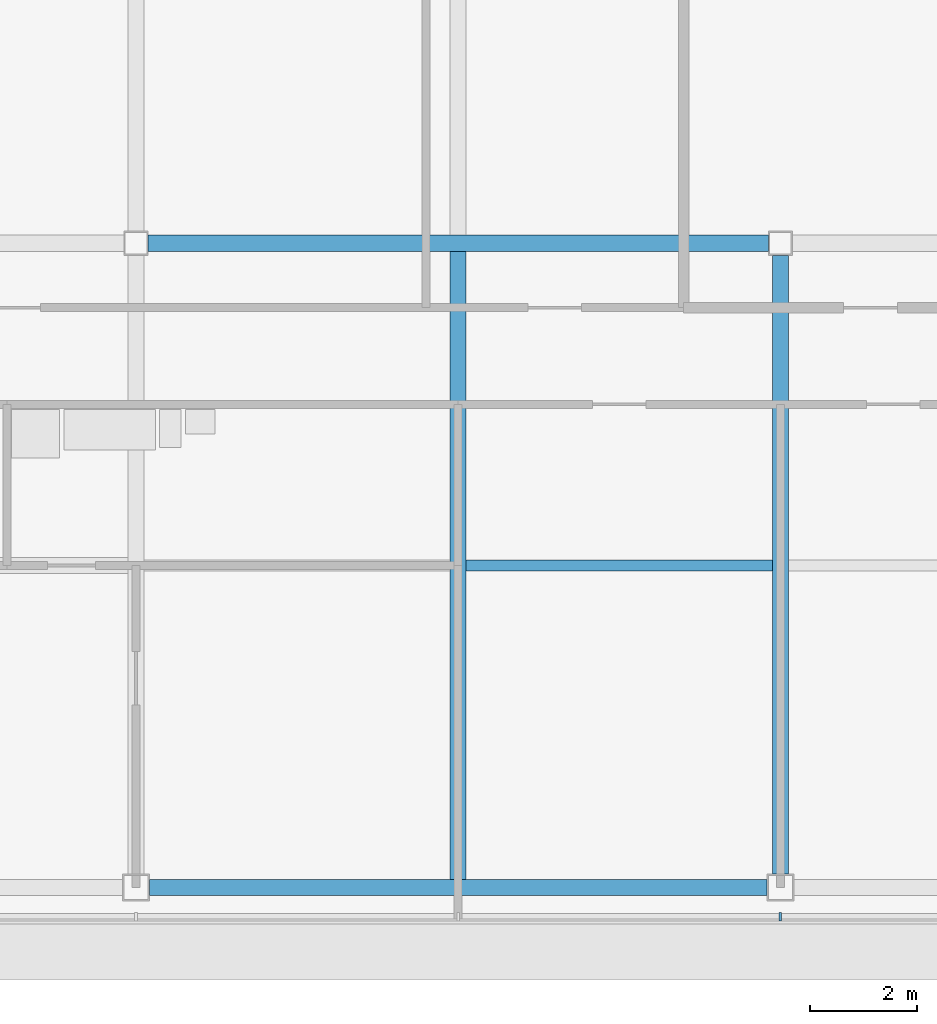
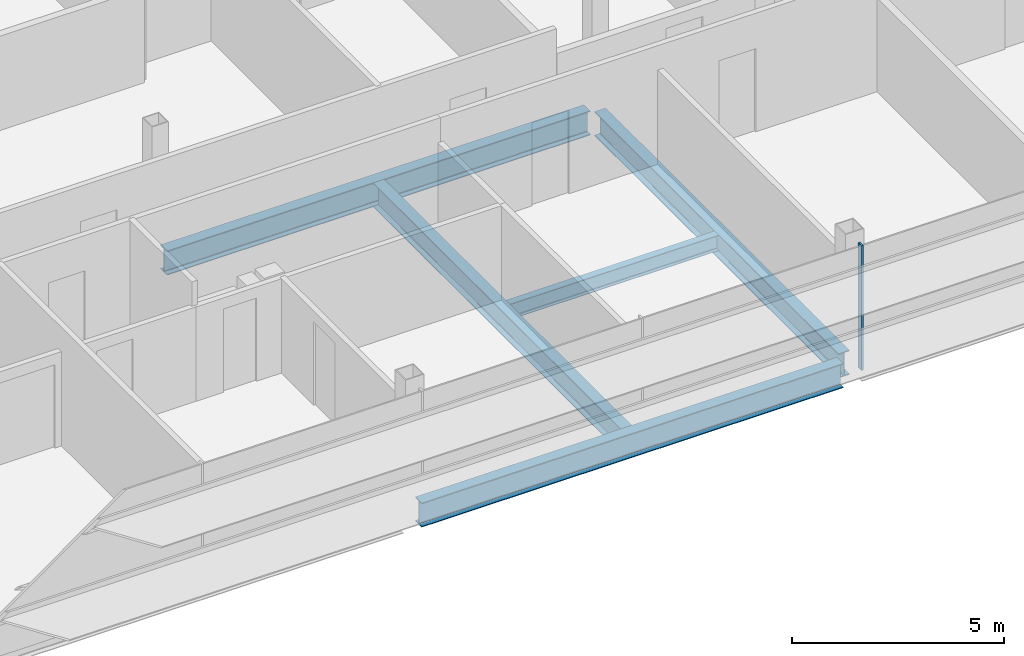
# One storey, part 5 of 27: 5 beams, 1 member, 1 element without a shape of its own.
"""IFC4 building model written with IfcOpenShell, lengths in metres."""

from ifc_helpers import new_model, si_unit, direction, frame, origin, origin_2d, place, context, subcontext, project, spatial, rectangle, i_section, extrude, material, material_profile, profile_set, type_object, element, aggregate, save


model = new_model("IFC4")

# Units and contexts
model_context = context("Model", 3, precision=1e-05, world=origin(), true_north=direction((0.0, 1.0)))
body_context = subcontext(model_context, "Body", "Model", "MODEL_VIEW")
ifc_project = project(units=[si_unit("LENGTHUNIT", "METRE"), si_unit("AREAUNIT", "SQUARE_METRE"), si_unit("VOLUMEUNIT", "CUBIC_METRE"), si_unit("PLANEANGLEUNIT", "RADIAN"), si_unit("MASSUNIT", "GRAM", prefix="KILO")], contexts=[model_context])

# Site, building, storey
site_placement = place(None, origin())
site = spatial("IfcSite", under=ifc_project, at=site_placement, CompositionType="ELEMENT")
building_placement = place(site_placement, origin())
building = spatial("IfcBuilding", under=site, at=building_placement, Name="Sorahane Residences", CompositionType="ELEMENT")
storey_placement = place(building_placement, frame((0.0, 0.0, 312.39990234375)))
storey = spatial("IfcBuildingStorey", under=building, at=storey_placement, Name="L74", CompositionType="ELEMENT", Elevation=312.39990234375)

# Curtain wall, member
ifc_material_1 = material(Name="Dark low-e glass and black anodised aluminium", Category="aluminium")
curtain_wall_type = type_object("IfcCurtainWallType", Name="Curtain wall CW-1 Typical unitised wall", PredefinedType="NOTDEFINED", material=ifc_material_1)
curtain_wall_placement = place(storey_placement, origin())
curtain_wall = element("IfcCurtainWall", 1, at=curtain_wall_placement, inside=storey, type_object=curtain_wall_type, Name="CW-1 curtain wall L74 S1", PredefinedType="NOTDEFINED")
ifc_material_2 = material(Name="Black anodised aluminium", Category="aluminium")
ifc_material_profile_1 = material_profile(ifc_material_2, rectangle(XDim=0.159912109375, YDim=0.050048828125, at=origin_2d()), Name="Curtain wall mullion CW-1 black anodised aluminium 50x160")
ifc_profile_set_1 = profile_set([ifc_material_profile_1], Name="Black anodised aluminium")
member_type = type_object("IfcMemberType", Name="Curtain wall mullion CW-1 black anodised aluminium 50x160", PredefinedType="MULLION", material=ifc_profile_set_1)
member_placement = place(storey_placement, frame((12.0, -0.5400390625, -0.179931640625), z_axis=(0.0, 0.0, 1.0), x_axis=(0.0, -1.0, 0.0)))
member = element("IfcMember", 2, at=member_placement, type_object=member_type, Name="CW-1 mullion L74 S1.5", PredefinedType="MULLION", context=body_context, shape_type="SweptSolid", body=[
    extrude(rectangle(XDim=0.159912109375, YDim=0.050048828125, at=origin_2d()), origin(), (0.0, 0.0, 1.0), 3.60009765625),
])
aggregate(curtain_wall, [member])

# Beams
ifc_material_3 = material(Name="Steel Q355B", Category="steel")
ifc_material_profile_2 = material_profile(ifc_material_3, i_section(OverallWidth=0.199951171875, OverallDepth=0.449951171875, WebThickness=0.009033203125, FlangeThickness=0.013916015625, FilletRadius=0.02001953125, at=origin_2d()), Name="HN 450x200x9x14")
ifc_profile_set_2 = profile_set([ifc_material_profile_2], Name="Steel Q355B")
beam_type_1 = type_object("IfcBeamType", Name="Steel floor beam HN 450x200x9x14 Q355B", PredefinedType="BEAM", material=ifc_profile_set_2)
beam_1_placement = place(storey_placement, frame((6.14990234375, 6.0, -0.40478515625), z_axis=(1.0, 0.0, 0.0), x_axis=(0.0, 1.0, 0.0)))
element("IfcBeam", 3, at=beam_1_placement, inside=storey, type_object=beam_type_1, Name="Beam L74 069", PredefinedType="BEAM", context=body_context, shape_type="SweptSolid", body=[
    extrude(i_section(OverallWidth=0.199951171875, OverallDepth=0.449951171875, WebThickness=0.009033203125, FlangeThickness=0.013916015625, FilletRadius=0.02001953125, at=origin_2d()), origin(), (0.0, 0.0, 1.0), 5.7001953125),
])
ifc_material_4 = material(Name="Steel Q355B", Category="steel")
ifc_material_profile_3 = material_profile(ifc_material_4, i_section(OverallWidth=0.300048828125, OverallDepth=0.699951171875, WebThickness=0.012939453125, FlangeThickness=0.02392578125, FilletRadius=0.028076171875, at=origin_2d()), Name="HN 700x300x13x24")
ifc_profile_set_3 = profile_set([ifc_material_profile_3], Name="Steel Q355B")
beam_type_2 = type_object("IfcBeamType", Name="Steel floor beam HN 700x300x13x24 Q355B", PredefinedType="BEAM", material=ifc_profile_set_3)
beam_2_placement = place(storey_placement, frame((0.25, 0.0, -0.52978515625), z_axis=(1.0, 0.0, 0.0), x_axis=(0.0, 1.0, 0.0)))
element("IfcBeam", 4, at=beam_2_placement, inside=storey, type_object=beam_type_2, Name="Beam L74 001", PredefinedType="BEAM", context=body_context, shape_type="SweptSolid", body=[
    extrude(i_section(OverallWidth=0.300048828125, OverallDepth=0.699951171875, WebThickness=0.012939453125, FlangeThickness=0.02392578125, FilletRadius=0.028076171875, at=origin_2d()), origin(), (0.0, 0.0, 1.0), 11.5),
])
beam_3_placement = place(storey_placement, frame((0.22509765625, 12.0, -0.52978515625), z_axis=(1.0, 0.0, 0.0), x_axis=(0.0, 1.0, 0.0)))
element("IfcBeam", 5, at=beam_3_placement, inside=storey, type_object=beam_type_2, Name="Beam L74 007", PredefinedType="BEAM", context=body_context, shape_type="SweptSolid", body=[
    extrude(i_section(OverallWidth=0.300048828125, OverallDepth=0.699951171875, WebThickness=0.012939453125, FlangeThickness=0.02392578125, FilletRadius=0.028076171875, at=origin_2d()), origin(), (0.0, 0.0, 1.0), 11.5498046875),
])
beam_4_placement = place(storey_placement, frame((6.0, 0.14990234375, -0.52978515625), z_axis=(0.0, 1.0, 0.0), x_axis=(-1.0, 0.0, 0.0)))
element("IfcBeam", 6, at=beam_4_placement, inside=storey, type_object=beam_type_2, Name="Beam L74 032", PredefinedType="BEAM", context=body_context, shape_type="SweptSolid", body=[
    extrude(i_section(OverallWidth=0.300048828125, OverallDepth=0.699951171875, WebThickness=0.012939453125, FlangeThickness=0.02392578125, FilletRadius=0.028076171875, at=origin_2d()), origin(), (0.0, 0.0, 1.0), 11.7001953125),
])
beam_5_placement = place(storey_placement, frame((12.0, 0.25, -0.52978515625), z_axis=(0.0, 1.0, 0.0), x_axis=(-1.0, 0.0, 0.0)))
element("IfcBeam", 7, at=beam_5_placement, inside=storey, type_object=beam_type_2, Name="Beam L74 038", PredefinedType="BEAM", context=body_context, shape_type="SweptSolid", body=[
    extrude(i_section(OverallWidth=0.300048828125, OverallDepth=0.699951171875, WebThickness=0.012939453125, FlangeThickness=0.02392578125, FilletRadius=0.028076171875, at=origin_2d()), origin(), (0.0, 0.0, 1.0), 11.52490234375),
])

save(model, "model.ifc")
